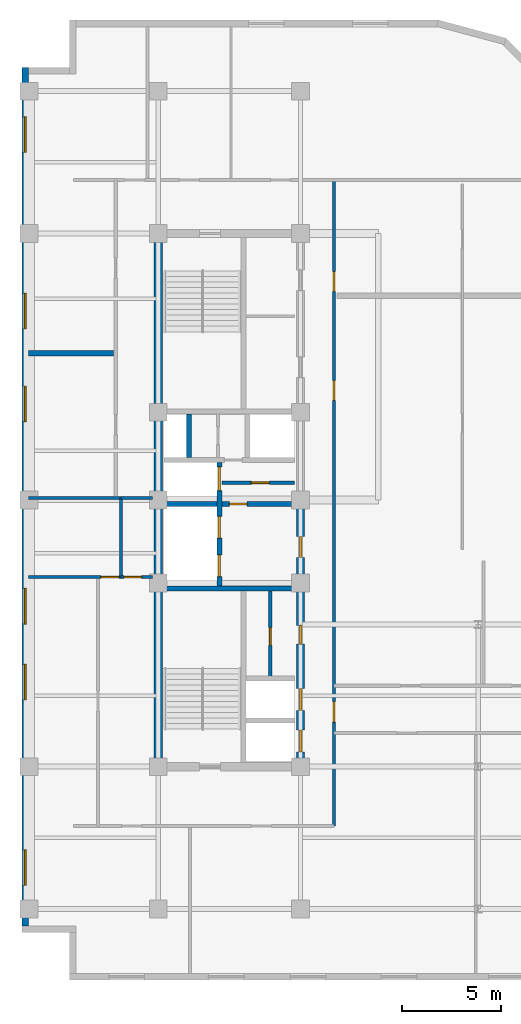
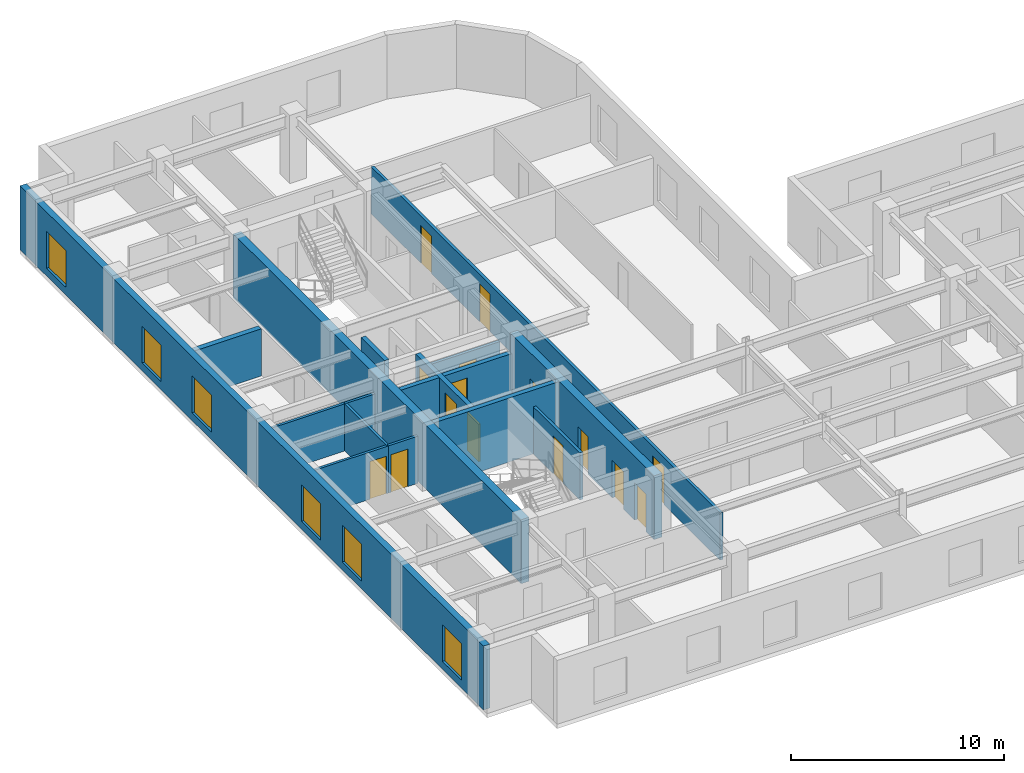
# One storey, part 4 of 11: 16 walls, 15 doors, 6 windows, 21 openings.
"""IFC4 building model written with IfcOpenShell, lengths in metres."""

from ifc_helpers import new_model, entity, si_unit, converted_unit, direction, frame, origin_with_axes, origin_2d_with_axis, place, context, subcontext, project, spatial, polyline, rectangle, outline, extrude, material, layer, layer_set, type_object, element, fill, save


model = new_model("IFC4")

# Units and contexts
model_context = context("Model", 3, precision=1e-05, world=origin_with_axes(), true_north=direction((0.0, 1.0)))
body_context = subcontext(model_context, "Body", "Model", "MODEL_VIEW")
ifc_project = project(units=[si_unit("LENGTHUNIT", "METRE"), si_unit("AREAUNIT", "SQUARE_METRE"), si_unit("VOLUMEUNIT", "CUBIC_METRE"), converted_unit("PLANEANGLEUNIT", "DEGREE", entity("IfcPlaneAngleMeasure", 0.017453292519943295), si_unit("PLANEANGLEUNIT", "RADIAN"), dimensions=[0, 0, 0, 0, 0, 0, 0]), si_unit("MASSUNIT", "GRAM", prefix="KILO"), si_unit("THERMODYNAMICTEMPERATUREUNIT", "KELVIN")], contexts=[model_context])

# Site, building, storey
site_placement = place(None, origin_with_axes())
site = spatial("IfcSite", under=ifc_project, at=site_placement, CompositionType="ELEMENT")
building_placement = place(site_placement, origin_with_axes())
building = spatial("IfcBuilding", under=site, at=building_placement, Name="Varnlund Millrace Tower", CompositionType="ELEMENT")
storey_placement = place(building_placement, frame((0.0, 0.0, 224.7), z_axis=(0.0, 0.0, 1.0), x_axis=(1.0, 0.0, 0.0)))
storey = spatial("IfcBuildingStorey", under=building, at=storey_placement, Name="L55", CompositionType="ELEMENT", Elevation=224.7)

# Wall
ifc_material_1 = material(Name="Concrete C60/75", Category="concrete")
ifc_layer_1 = layer(ifc_material_1, 0.42, Name="Concrete C60/75")
ifc_layer_set_1 = layer_set([ifc_layer_1], Name="Concrete C60/75")
wall_type_1 = type_object("IfcWallType", Name="Type-CoreWall-Shear-420-C60", PredefinedType="SHEAR", material=ifc_layer_set_1)
wall_1_placement = place(storey_placement, frame((11.4, 10.8, 0.0), z_axis=(0.0, 0.0, 1.0), x_axis=(0.0, 1.0, 0.0)))
element("IfcWall", 1, at=wall_1_placement, inside=storey, type_object=wall_type_1, Name="Type-CoreWall-Shear-420-C60", PredefinedType="SHEAR", context=body_context, shape_type="SweptSolid", body=[
    extrude(outline(polyline([(0.0, -0.21), (27.0, -0.21), (27.0, 0.21), (0.0, 0.21), (0.0, -0.21)])), origin_with_axes(), (0.0, 0.0, 1.0), 3.66),
])

# Wall, openings, doors
wall_2_placement = place(storey_placement, frame((18.6, 10.8, 0.0), z_axis=(0.0, 0.0, 1.0), x_axis=(0.0, 1.0, 0.0)))
wall_2 = element("IfcWall", 2, at=wall_2_placement, inside=storey, type_object=wall_type_1, Name="Type-CoreWall-Shear-420-C60", PredefinedType="SHEAR", context=body_context, shape_type="SweptSolid", body=[
    extrude(outline(polyline([(0.0, -0.21), (13.5, -0.21), (13.5, 0.21), (0.0, 0.21), (0.0, -0.21)])), origin_with_axes(), (0.0, 0.0, 1.0), 3.66),
])
opening_1_placement = place(wall_2_placement, frame((1.3, 0.0, 0.0), z_axis=(0.0, 0.0, 1.0), x_axis=(1.0, 0.0, 0.0)))
opening_1 = element("IfcOpeningElement", 3, at=opening_1_placement, cuts=wall_2, Name="Opening L55:LD-ELV-H1", PredefinedType="OPENING", context=body_context, shape_type="SweptSolid", body=[
    extrude(rectangle(XDim=1.1, YDim=0.44, at=origin_2d_with_axis()), origin_with_axes(), (0.0, 0.0, 1.0), 2.15),
])
opening_2_placement = place(wall_2_placement, frame((3.4, 0.0, 0.0), z_axis=(0.0, 0.0, 1.0), x_axis=(1.0, 0.0, 0.0)))
opening_2 = element("IfcOpeningElement", 4, at=opening_2_placement, cuts=wall_2, Name="Opening L55:LD-ELV-H2", PredefinedType="OPENING", context=body_context, shape_type="SweptSolid", body=[
    extrude(rectangle(XDim=1.1, YDim=0.44, at=origin_2d_with_axis()), origin_with_axes(), (0.0, 0.0, 1.0), 2.15),
])
opening_3_placement = place(wall_2_placement, frame((11.125, 0.0, 0.0), z_axis=(0.0, 0.0, 1.0), x_axis=(1.0, 0.0, 0.0)))
opening_3 = element("IfcOpeningElement", 5, at=opening_3_placement, cuts=wall_2, Name="Opening L55:DR-FFLOB-A", PredefinedType="OPENING", context=body_context, shape_type="SweptSolid", body=[
    extrude(rectangle(XDim=1.05, YDim=0.44, at=origin_2d_with_axis()), origin_with_axes(), (0.0, 0.0, 1.0), 2.15),
])
opening_4_placement = place(wall_2_placement, frame((6.675, 0.0, 0.0), z_axis=(0.0, 0.0, 1.0), x_axis=(1.0, 0.0, 0.0)))
opening_4 = element("IfcOpeningElement", 6, at=opening_4_placement, cuts=wall_2, Name="Opening L55:DR-RECL-S1B2", PredefinedType="OPENING", context=body_context, shape_type="SweptSolid", body=[
    extrude(rectangle(XDim=0.95, YDim=0.44, at=origin_2d_with_axis()), origin_with_axes(), (0.0, 0.0, 1.0), 2.15),
])
ifc_material_2 = material(Name="Smoke-barrier hollow steel fire door", Category="steel")
door_type_1 = type_object("IfcDoorType", Name="Type-FireDoor-Lobby-1050X2150", OperationType="NOTDEFINED", PredefinedType="DOOR", material=ifc_material_2)
door_1_placement = place(wall_2_placement, frame((11.125, 0.0, 0.0), z_axis=(0.0, 0.0, 1.0), x_axis=(1.0, 0.0, 0.0)))
door_1 = element("IfcDoor", 7, at=door_1_placement, inside=storey, type_object=door_type_1, Name="Type-FireDoor-Lobby-1050X2150", OperationType="SINGLE_SWING_LEFT", OverallHeight=2.15, OverallWidth=1.05, PredefinedType="DOOR", context=body_context, shape_type="SweptSolid", body=[
    extrude(rectangle(XDim=1.05, YDim=0.09, at=origin_2d_with_axis()), origin_with_axes(), (0.0, 0.0, 1.0), 2.15),
])
fill(opening_3, door_1)
ifc_material_3 = material(Name="Fire-rated hollow steel core service door", Category="steel")
door_type_2 = type_object("IfcDoorType", Name="Type-FireDoor-Service-950X2150", OperationType="NOTDEFINED", PredefinedType="DOOR", material=ifc_material_3)
door_2_placement = place(wall_2_placement, frame((6.675, 0.0, 0.0), z_axis=(0.0, 0.0, 1.0), x_axis=(1.0, 0.0, 0.0)))
door_2 = element("IfcDoor", 8, at=door_2_placement, inside=storey, type_object=door_type_2, Name="Type-FireDoor-Service-950X2150", OperationType="SINGLE_SWING_RIGHT", OverallHeight=2.15, OverallWidth=0.95, PredefinedType="DOOR", context=body_context, shape_type="SweptSolid", body=[
    extrude(rectangle(XDim=0.95, YDim=0.09, at=origin_2d_with_axis()), origin_with_axes(), (0.0, 0.0, 1.0), 2.15),
])
fill(opening_4, door_2)
ifc_material_4 = material(Name="Stainless and architectural bronze sliding landing door")
door_type_3 = type_object("IfcDoorType", Name="Type-LiftLandingDoor-1100X2150", OperationType="NOTDEFINED", PredefinedType="DOOR", material=ifc_material_4)
door_3_placement = place(wall_2_placement, frame((1.3, 0.0, 0.0), z_axis=(0.0, 0.0, 1.0), x_axis=(1.0, 0.0, 0.0)))
door_3 = element("IfcDoor", 9, at=door_3_placement, inside=storey, type_object=door_type_3, Name="Type-LiftLandingDoor-1100X2150", OperationType="SLIDING_TO_LEFT", OverallHeight=2.15, OverallWidth=1.1, PredefinedType="DOOR", context=body_context, shape_type="SweptSolid", body=[
    extrude(rectangle(XDim=1.1, YDim=0.09, at=origin_2d_with_axis()), origin_with_axes(), (0.0, 0.0, 1.0), 2.15),
])
fill(opening_1, door_3)
door_4_placement = place(wall_2_placement, frame((3.4, 0.0, 0.0), z_axis=(0.0, 0.0, 1.0), x_axis=(1.0, 0.0, 0.0)))
door_4 = element("IfcDoor", 10, at=door_4_placement, inside=storey, type_object=door_type_3, Name="Type-LiftLandingDoor-1100X2150", OperationType="SLIDING_TO_RIGHT", OverallHeight=2.15, OverallWidth=1.1, PredefinedType="DOOR", context=body_context, shape_type="SweptSolid", body=[
    extrude(rectangle(XDim=1.1, YDim=0.09, at=origin_2d_with_axis()), origin_with_axes(), (0.0, 0.0, 1.0), 2.15),
])
fill(opening_2, door_4)

# Wall, openings, windows
ifc_material_5 = material(Name="Precast concrete C50/60", Category="concrete")
ifc_layer_2 = layer(ifc_material_5, 0.34, Name="Precast concrete C50/60")
ifc_layer_set_2 = layer_set([ifc_layer_2], Name="Precast concrete C50/60")
wall_type_2 = type_object("IfcWallType", Name="Type-ExtWall-Precast-Upper-340", PredefinedType="SOLIDWALL", material=ifc_layer_set_2)
wall_3_placement = place(storey_placement, frame((4.67, 2.74, 0.0), z_axis=(0.0, 0.0, 1.0), x_axis=(0.0, 1.0, 0.0)))
wall_3 = element("IfcWall", 11, at=wall_3_placement, inside=storey, type_object=wall_type_2, Name="Type-ExtWall-Precast-Upper-340", PredefinedType="SOLIDWALL", context=body_context, shape_type="SweptSolid", body=[
    extrude(outline(polyline([(0.0, -0.17), (43.46, -0.17), (43.46, 0.17), (0.0, 0.17), (0.0, -0.17)])), origin_with_axes(), (0.0, 0.0, 1.0), 3.66),
])
opening_5_placement = place(wall_3_placement, frame((2.948, 0.0, 0.45), z_axis=(0.0, 0.0, 1.0), x_axis=(1.0, 0.0, 0.0)))
opening_5 = element("IfcOpeningElement", 12, at=opening_5_placement, cuts=wall_3, Name="Opening L55:WN-16", PredefinedType="OPENING", context=body_context, shape_type="SweptSolid", body=[
    extrude(rectangle(XDim=1.8, YDim=0.36, at=origin_2d_with_axis()), origin_with_axes(), (0.0, 0.0, 1.0), 2.1),
])
opening_6_placement = place(wall_3_placement, frame((12.339, 0.0, 0.45), z_axis=(0.0, 0.0, 1.0), x_axis=(1.0, 0.0, 0.0)))
opening_6 = element("IfcOpeningElement", 13, at=opening_6_placement, cuts=wall_3, Name="Opening L55:WN-17", PredefinedType="OPENING", context=body_context, shape_type="SweptSolid", body=[
    extrude(rectangle(XDim=1.8, YDim=0.36, at=origin_2d_with_axis()), origin_with_axes(), (0.0, 0.0, 1.0), 2.1),
])
opening_7_placement = place(wall_3_placement, frame((16.184, 0.0, 0.45), z_axis=(0.0, 0.0, 1.0), x_axis=(1.0, 0.0, 0.0)))
opening_7 = element("IfcOpeningElement", 14, at=opening_7_placement, cuts=wall_3, Name="Opening L55:WN-18", PredefinedType="OPENING", context=body_context, shape_type="SweptSolid", body=[
    extrude(rectangle(XDim=1.8, YDim=0.36, at=origin_2d_with_axis()), origin_with_axes(), (0.0, 0.0, 1.0), 2.1),
])
opening_8_placement = place(wall_3_placement, frame((26.426, 0.0, 0.45), z_axis=(0.0, 0.0, 1.0), x_axis=(1.0, 0.0, 0.0)))
opening_8 = element("IfcOpeningElement", 15, at=opening_8_placement, cuts=wall_3, Name="Opening L55:WN-19", PredefinedType="OPENING", context=body_context, shape_type="SweptSolid", body=[
    extrude(rectangle(XDim=1.8, YDim=0.36, at=origin_2d_with_axis()), origin_with_axes(), (0.0, 0.0, 1.0), 2.1),
])
opening_9_placement = place(wall_3_placement, frame((31.121, 0.0, 0.45), z_axis=(0.0, 0.0, 1.0), x_axis=(1.0, 0.0, 0.0)))
opening_9 = element("IfcOpeningElement", 16, at=opening_9_placement, cuts=wall_3, Name="Opening L55:WN-20", PredefinedType="OPENING", context=body_context, shape_type="SweptSolid", body=[
    extrude(rectangle(XDim=1.8, YDim=0.36, at=origin_2d_with_axis()), origin_with_axes(), (0.0, 0.0, 1.0), 2.1),
])
opening_10_placement = place(wall_3_placement, frame((40.062, 0.0, 0.45), z_axis=(0.0, 0.0, 1.0), x_axis=(1.0, 0.0, 0.0)))
opening_10 = element("IfcOpeningElement", 17, at=opening_10_placement, cuts=wall_3, Name="Opening L55:WN-21", PredefinedType="OPENING", context=body_context, shape_type="SweptSolid", body=[
    extrude(rectangle(XDim=1.8, YDim=0.36, at=origin_2d_with_axis()), origin_with_axes(), (0.0, 0.0, 1.0), 2.1),
])
ifc_material_6 = material(Name="Argon low-e triple glazing in thermally broken bronze frame", Category="glass")
window_type = type_object("IfcWindowType", Name="Type-Window-Punched-1800X2100", PartitioningType="SINGLE_PANEL", PredefinedType="WINDOW", material=ifc_material_6)
window_1_placement = place(wall_3_placement, frame((2.948, 0.0, 0.45), z_axis=(0.0, 0.0, 1.0), x_axis=(1.0, 0.0, 0.0)))
window_1 = element("IfcWindow", 18, at=window_1_placement, inside=storey, type_object=window_type, Name="Type-Window-Punched-1800X2100", OverallHeight=2.1, OverallWidth=1.8, PredefinedType="WINDOW", context=body_context, shape_type="SweptSolid", body=[
    extrude(rectangle(XDim=1.8, YDim=0.09, at=origin_2d_with_axis()), origin_with_axes(), (0.0, 0.0, 1.0), 2.1),
])
fill(opening_5, window_1)
window_2_placement = place(wall_3_placement, frame((12.339, 0.0, 0.45), z_axis=(0.0, 0.0, 1.0), x_axis=(1.0, 0.0, 0.0)))
window_2 = element("IfcWindow", 19, at=window_2_placement, inside=storey, type_object=window_type, Name="Type-Window-Punched-1800X2100", OverallHeight=2.1, OverallWidth=1.8, PredefinedType="WINDOW", context=body_context, shape_type="SweptSolid", body=[
    extrude(rectangle(XDim=1.8, YDim=0.09, at=origin_2d_with_axis()), origin_with_axes(), (0.0, 0.0, 1.0), 2.1),
])
fill(opening_6, window_2)
window_3_placement = place(wall_3_placement, frame((16.184, 0.0, 0.45), z_axis=(0.0, 0.0, 1.0), x_axis=(1.0, 0.0, 0.0)))
window_3 = element("IfcWindow", 20, at=window_3_placement, inside=storey, type_object=window_type, Name="Type-Window-Punched-1800X2100", OverallHeight=2.1, OverallWidth=1.8, PredefinedType="WINDOW", context=body_context, shape_type="SweptSolid", body=[
    extrude(rectangle(XDim=1.8, YDim=0.09, at=origin_2d_with_axis()), origin_with_axes(), (0.0, 0.0, 1.0), 2.1),
])
fill(opening_7, window_3)
window_4_placement = place(wall_3_placement, frame((26.426, 0.0, 0.45), z_axis=(0.0, 0.0, 1.0), x_axis=(1.0, 0.0, 0.0)))
window_4 = element("IfcWindow", 21, at=window_4_placement, inside=storey, type_object=window_type, Name="Type-Window-Punched-1800X2100", OverallHeight=2.1, OverallWidth=1.8, PredefinedType="WINDOW", context=body_context, shape_type="SweptSolid", body=[
    extrude(rectangle(XDim=1.8, YDim=0.09, at=origin_2d_with_axis()), origin_with_axes(), (0.0, 0.0, 1.0), 2.1),
])
fill(opening_8, window_4)
window_5_placement = place(wall_3_placement, frame((31.121, 0.0, 0.45), z_axis=(0.0, 0.0, 1.0), x_axis=(1.0, 0.0, 0.0)))
window_5 = element("IfcWindow", 22, at=window_5_placement, inside=storey, type_object=window_type, Name="Type-Window-Punched-1800X2100", OverallHeight=2.1, OverallWidth=1.8, PredefinedType="WINDOW", context=body_context, shape_type="SweptSolid", body=[
    extrude(rectangle(XDim=1.8, YDim=0.09, at=origin_2d_with_axis()), origin_with_axes(), (0.0, 0.0, 1.0), 2.1),
])
fill(opening_9, window_5)
window_6_placement = place(wall_3_placement, frame((40.062, 0.0, 0.45), z_axis=(0.0, 0.0, 1.0), x_axis=(1.0, 0.0, 0.0)))
window_6 = element("IfcWindow", 23, at=window_6_placement, inside=storey, type_object=window_type, Name="Type-Window-Punched-1800X2100", OverallHeight=2.1, OverallWidth=1.8, PredefinedType="WINDOW", context=body_context, shape_type="SweptSolid", body=[
    extrude(rectangle(XDim=1.8, YDim=0.09, at=origin_2d_with_axis()), origin_with_axes(), (0.0, 0.0, 1.0), 2.1),
])
fill(opening_10, window_6)

# Wall
ifc_material_7 = material(Name="Double-stud STC-60 conference acoustic partition", Category="gypsum")
ifc_layer_3 = layer(ifc_material_7, 0.28, Name="Double-stud STC-60 conference acoustic partition")
ifc_layer_set_3 = layer_set([ifc_layer_3], Name="Double-stud STC-60 conference acoustic partition")
wall_type_3 = type_object("IfcWallType", Name="Type-Partition-Acoustic-280", PredefinedType="PARTITIONING", material=ifc_layer_set_3)
wall_4_placement = place(storey_placement, frame((4.835, 31.737, 0.0), z_axis=(0.0, 0.0, 1.0), x_axis=(1.0, 0.0, 0.0)))
element("IfcWall", 24, at=wall_4_placement, inside=storey, type_object=wall_type_3, Name="Type-Partition-Acoustic-280", PredefinedType="PARTITIONING", context=body_context, shape_type="SweptSolid", body=[
    extrude(outline(polyline([(0.0, -0.14), (4.295, -0.14), (4.295, 0.14), (0.0, 0.14), (0.0, -0.14)])), origin_with_axes(), (0.0, 0.0, 1.0), 2.7),
])

# Wall, opening, door
ifc_material_8 = material(Name="Fire-rated gypsum board on cold-formed steel framing", Category="steel")
ifc_layer_4 = layer(ifc_material_8, 0.16, Name="Fire-rated gypsum board on cold-formed steel framing")
ifc_layer_set_4 = layer_set([ifc_layer_4], Name="Fire-rated gypsum board on cold-formed steel framing")
wall_type_4 = type_object("IfcWallType", Name="Type-Partition-Corridor-160", PredefinedType="PARTITIONING", material=ifc_layer_set_4)
wall_5_placement = place(storey_placement, frame((14.62, 25.18, 0.0), z_axis=(0.0, 0.0, 1.0), x_axis=(1.0, 0.0, 0.0)))
wall_5 = element("IfcWall", 25, at=wall_5_placement, inside=storey, type_object=wall_type_4, Name="Type-Partition-Corridor-160", PredefinedType="PARTITIONING", context=body_context, shape_type="SweptSolid", body=[
    extrude(outline(polyline([(0.0, -0.08), (3.68, -0.08), (3.68, 0.08), (0.0, 0.08), (0.0, -0.08)])), origin_with_axes(), (0.0, 0.0, 1.0), 2.7),
])
opening_11_placement = place(wall_5_placement, frame((1.95, 0.0, 0.0), z_axis=(0.0, 0.0, 1.0), x_axis=(1.0, 0.0, 0.0)))
opening_11 = element("IfcOpeningElement", 26, at=opening_11_placement, cuts=wall_5, Name="Opening L55:DR-CA-SUB2", PredefinedType="OPENING", context=body_context, shape_type="SweptSolid", body=[
    extrude(rectangle(XDim=0.9, YDim=0.18, at=origin_2d_with_axis()), origin_with_axes(), (0.0, 0.0, 1.0), 2.15),
])
ifc_material_9 = material(Name="Painted steel riser and closet door", Category="steel")
door_type_4 = type_object("IfcDoorType", Name="Type-IntDoor-Closet-900X2150", OperationType="NOTDEFINED", PredefinedType="DOOR", material=ifc_material_9)
door_5_placement = place(wall_5_placement, frame((1.95, 0.0, 0.0), z_axis=(0.0, 0.0, 1.0), x_axis=(1.0, 0.0, 0.0)))
door_5 = element("IfcDoor", 27, at=door_5_placement, inside=storey, type_object=door_type_4, Name="Type-IntDoor-Closet-900X2150", OperationType="SINGLE_SWING_LEFT", OverallHeight=2.15, OverallWidth=0.9, PredefinedType="DOOR", context=body_context, shape_type="SweptSolid", body=[
    extrude(rectangle(XDim=0.9, YDim=0.09, at=origin_2d_with_axis()), origin_with_axes(), (0.0, 0.0, 1.0), 2.15),
])
fill(opening_11, door_5)

wall_6_placement = place(storey_placement, frame((17.07, 15.34, 0.0), z_axis=(0.0, 0.0, 1.0), x_axis=(0.0, 1.0, 0.0)))
wall_6 = element("IfcWall", 28, at=wall_6_placement, inside=storey, type_object=wall_type_4, Name="Type-Partition-Corridor-160", PredefinedType="PARTITIONING", context=body_context, shape_type="SweptSolid", body=[
    extrude(outline(polyline([(0.0, -0.08), (4.36, -0.08), (4.36, 0.08), (0.0, 0.08), (0.0, -0.08)])), origin_with_axes(), (0.0, 0.0, 1.0), 2.7),
])
opening_12_placement = place(wall_6_placement, frame((2.05, 0.0, 0.0), z_axis=(0.0, 0.0, 1.0), x_axis=(1.0, 0.0, 0.0)))
opening_12 = element("IfcOpeningElement", 29, at=opening_12_placement, cuts=wall_6, Name="Opening L55:DR-RECL-S1B1", PredefinedType="OPENING", context=body_context, shape_type="SweptSolid", body=[
    extrude(rectangle(XDim=0.9, YDim=0.18, at=origin_2d_with_axis()), origin_with_axes(), (0.0, 0.0, 1.0), 2.15),
])
door_6_placement = place(wall_6_placement, frame((2.05, 0.0, 0.0), z_axis=(0.0, 0.0, 1.0), x_axis=(1.0, 0.0, 0.0)))
door_6 = element("IfcDoor", 30, at=door_6_placement, inside=storey, type_object=door_type_4, Name="Type-IntDoor-Closet-900X2150", OperationType="SINGLE_SWING_LEFT", OverallHeight=2.15, OverallWidth=0.9, PredefinedType="DOOR", context=body_context, shape_type="SweptSolid", body=[
    extrude(rectangle(XDim=0.9, YDim=0.09, at=origin_2d_with_axis()), origin_with_axes(), (0.0, 0.0, 1.0), 2.15),
])
fill(opening_12, door_6)

# Wall, openings, doors
wall_7_placement = place(storey_placement, frame((20.3, 7.8, 0.0), z_axis=(0.0, 0.0, 1.0), x_axis=(0.0, 1.0, 0.0)))
wall_7 = element("IfcWall", 31, at=wall_7_placement, inside=storey, type_object=wall_type_4, Name="Type-Partition-Corridor-160", PredefinedType="PARTITIONING", context=body_context, shape_type="SweptSolid", body=[
    extrude(outline(polyline([(0.0, -0.08), (32.7, -0.08), (32.7, 0.08), (0.0, 0.08), (0.0, -0.08)])), origin_with_axes(), (0.0, 0.0, 1.0), 2.7),
])
opening_13_placement = place(wall_7_placement, frame((22.042, 0.0, 0.0), z_axis=(0.0, 0.0, 1.0), x_axis=(1.0, 0.0, 0.0)))
opening_13 = element("IfcOpeningElement", 32, at=opening_13_placement, cuts=wall_7, Name="Opening L55:DR-FLR-01", PredefinedType="OPENING", context=body_context, shape_type="SweptSolid", body=[
    extrude(rectangle(XDim=1.0, YDim=0.18, at=origin_2d_with_axis()), origin_with_axes(), (0.0, 0.0, 1.0), 2.15),
])
opening_14_placement = place(wall_7_placement, frame((27.562, 0.0, 0.0), z_axis=(0.0, 0.0, 1.0), x_axis=(1.0, 0.0, 0.0)))
opening_14 = element("IfcOpeningElement", 33, at=opening_14_placement, cuts=wall_7, Name="Opening L55:DR-FLR-02", PredefinedType="OPENING", context=body_context, shape_type="SweptSolid", body=[
    extrude(rectangle(XDim=1.0, YDim=0.18, at=origin_2d_with_axis()), origin_with_axes(), (0.0, 0.0, 1.0), 2.15),
])
opening_15_placement = place(wall_7_placement, frame((5.775, 0.0, 0.0), z_axis=(0.0, 0.0, 1.0), x_axis=(1.0, 0.0, 0.0)))
opening_15 = element("IfcOpeningElement", 34, at=opening_15_placement, cuts=wall_7, Name="Opening L55:DR-KN-W", PredefinedType="OPENING", context=body_context, shape_type="SweptSolid", body=[
    extrude(rectangle(XDim=1.05, YDim=0.18, at=origin_2d_with_axis()), origin_with_axes(), (0.0, 0.0, 1.0), 2.15),
])
door_7_placement = place(wall_7_placement, frame((5.775, 0.0, 0.0), z_axis=(0.0, 0.0, 1.0), x_axis=(1.0, 0.0, 0.0)))
door_7 = element("IfcDoor", 35, at=door_7_placement, inside=storey, type_object=door_type_1, Name="Type-FireDoor-Lobby-1050X2150", OperationType="SINGLE_SWING_LEFT", OverallHeight=2.15, OverallWidth=1.05, PredefinedType="DOOR", context=body_context, shape_type="SweptSolid", body=[
    extrude(rectangle(XDim=1.05, YDim=0.09, at=origin_2d_with_axis()), origin_with_axes(), (0.0, 0.0, 1.0), 2.15),
])
fill(opening_15, door_7)
ifc_material_10 = material(Name="Solid-core white oak and bronze frame door")
door_type_5 = type_object("IfcDoorType", Name="Type-IntDoor-Office-1000X2150", OperationType="NOTDEFINED", PredefinedType="DOOR", material=ifc_material_10)
door_8_placement = place(wall_7_placement, frame((22.042, 0.0, 0.0), z_axis=(0.0, 0.0, 1.0), x_axis=(1.0, 0.0, 0.0)))
door_8 = element("IfcDoor", 36, at=door_8_placement, inside=storey, type_object=door_type_5, Name="Type-IntDoor-Office-1000X2150", OperationType="SINGLE_SWING_LEFT", OverallHeight=2.15, OverallWidth=1.0, PredefinedType="DOOR", context=body_context, shape_type="SweptSolid", body=[
    extrude(rectangle(XDim=1.0, YDim=0.09, at=origin_2d_with_axis()), origin_with_axes(), (0.0, 0.0, 1.0), 2.15),
])
fill(opening_13, door_8)
door_9_placement = place(wall_7_placement, frame((27.562, 0.0, 0.0), z_axis=(0.0, 0.0, 1.0), x_axis=(1.0, 0.0, 0.0)))
door_9 = element("IfcDoor", 37, at=door_9_placement, inside=storey, type_object=door_type_5, Name="Type-IntDoor-Office-1000X2150", OperationType="SINGLE_SWING_RIGHT", OverallHeight=2.15, OverallWidth=1.0, PredefinedType="DOOR", context=body_context, shape_type="SweptSolid", body=[
    extrude(rectangle(XDim=1.0, YDim=0.09, at=origin_2d_with_axis()), origin_with_axes(), (0.0, 0.0, 1.0), 2.15),
])
fill(opening_14, door_9)

# Wall
ifc_material_11 = material(Name="Moisture-resistant gypsum restroom partition", Category="gypsum")
ifc_layer_5 = layer(ifc_material_11, 0.14, Name="Moisture-resistant gypsum restroom partition")
ifc_layer_set_5 = layer_set([ifc_layer_5], Name="Moisture-resistant gypsum restroom partition")
wall_type_5 = type_object("IfcWallType", Name="Type-Partition-Wet-140", PredefinedType="PARTITIONING", material=ifc_layer_set_5)
wall_8_placement = place(storey_placement, frame((9.52, 20.4, 0.0), z_axis=(0.0, 0.0, 1.0), x_axis=(0.0, 1.0, 0.0)))
element("IfcWall", 38, at=wall_8_placement, inside=storey, type_object=wall_type_5, Name="Type-Partition-Wet-140", PredefinedType="PARTITIONING", context=body_context, shape_type="SweptSolid", body=[
    extrude(outline(polyline([(0.0, -0.07), (4.0, -0.07), (4.0, 0.07), (0.0, 0.07), (0.0, -0.07)])), origin_with_axes(), (0.0, 0.0, 1.0), 2.7),
])

# Wall, opening, door
wall_9_placement = place(storey_placement, frame((9.52, 20.4, 0.0), z_axis=(0.0, 0.0, 1.0), x_axis=(1.0, 0.0, 0.0)))
wall_9 = element("IfcWall", 39, at=wall_9_placement, inside=storey, type_object=wall_type_5, Name="Type-Partition-Wet-140", PredefinedType="PARTITIONING", context=body_context, shape_type="SweptSolid", body=[
    extrude(outline(polyline([(0.0, -0.07), (1.58, -0.07), (1.58, 0.07), (0.0, 0.07), (0.0, -0.07)])), origin_with_axes(), (0.0, 0.0, 1.0), 2.7),
])
opening_16_placement = place(wall_9_placement, frame((0.59, 0.0, 0.0), z_axis=(0.0, 0.0, 1.0), x_axis=(1.0, 0.0, 0.0)))
opening_16 = element("IfcOpeningElement", 40, at=opening_16_placement, cuts=wall_9, Name="Opening L55:DR-CA-WCW", PredefinedType="OPENING", context=body_context, shape_type="SweptSolid", body=[
    extrude(rectangle(XDim=0.9, YDim=0.16, at=origin_2d_with_axis()), origin_with_axes(), (0.0, 0.0, 1.0), 2.15),
])
door_10_placement = place(wall_9_placement, frame((0.59, 0.0, 0.0), z_axis=(0.0, 0.0, 1.0), x_axis=(1.0, 0.0, 0.0)))
door_10 = element("IfcDoor", 41, at=door_10_placement, inside=storey, type_object=door_type_4, Name="Type-IntDoor-Closet-900X2150", OperationType="SINGLE_SWING_LEFT", OverallHeight=2.15, OverallWidth=0.9, PredefinedType="DOOR", context=body_context, shape_type="SweptSolid", body=[
    extrude(rectangle(XDim=0.9, YDim=0.084, at=origin_2d_with_axis()), origin_with_axes(), (0.0, 0.0, 1.0), 2.15),
])
fill(opening_16, door_10)

# Wall
wall_10_placement = place(storey_placement, frame((9.52, 24.4, 0.0), z_axis=(0.0, 0.0, 1.0), x_axis=(1.0, 0.0, 0.0)))
element("IfcWall", 42, at=wall_10_placement, inside=storey, type_object=wall_type_5, Name="Type-Partition-Wet-140", PredefinedType="PARTITIONING", context=body_context, shape_type="SweptSolid", body=[
    extrude(outline(polyline([(0.0, -0.07), (1.58, -0.07), (1.58, 0.07), (0.0, 0.07), (0.0, -0.07)])), origin_with_axes(), (0.0, 0.0, 1.0), 2.7),
])

# Wall, opening, door
wall_11_placement = place(storey_placement, frame((4.835, 20.4, 0.0), z_axis=(0.0, 0.0, 1.0), x_axis=(1.0, 0.0, 0.0)))
wall_11 = element("IfcWall", 43, at=wall_11_placement, inside=storey, type_object=wall_type_5, Name="Type-Partition-Wet-140", PredefinedType="PARTITIONING", context=body_context, shape_type="SweptSolid", body=[
    extrude(outline(polyline([(0.0, -0.07), (4.685, -0.07), (4.685, 0.07), (0.0, 0.07), (0.0, -0.07)])), origin_with_axes(), (0.0, 0.0, 1.0), 2.7),
])
opening_17_placement = place(wall_11_placement, frame((4.115, 0.0, 0.0), z_axis=(0.0, 0.0, 1.0), x_axis=(1.0, 0.0, 0.0)))
opening_17 = element("IfcOpeningElement", 44, at=opening_17_placement, cuts=wall_11, Name="Opening L55:DR-W-MIDR", PredefinedType="OPENING", context=body_context, shape_type="SweptSolid", body=[
    extrude(rectangle(XDim=0.9, YDim=0.16, at=origin_2d_with_axis()), origin_with_axes(), (0.0, 0.0, 1.0), 2.15),
])
door_11_placement = place(wall_11_placement, frame((4.115, 0.0, 0.0), z_axis=(0.0, 0.0, 1.0), x_axis=(1.0, 0.0, 0.0)))
door_11 = element("IfcDoor", 45, at=door_11_placement, inside=storey, type_object=door_type_4, Name="Type-IntDoor-Closet-900X2150", OperationType="SINGLE_SWING_LEFT", OverallHeight=2.15, OverallWidth=0.9, PredefinedType="DOOR", context=body_context, shape_type="SweptSolid", body=[
    extrude(rectangle(XDim=0.9, YDim=0.084, at=origin_2d_with_axis()), origin_with_axes(), (0.0, 0.0, 1.0), 2.15),
])
fill(opening_17, door_11)

# Wall
wall_12_placement = place(storey_placement, frame((4.835, 24.4, 0.0), z_axis=(0.0, 0.0, 1.0), x_axis=(1.0, 0.0, 0.0)))
element("IfcWall", 46, at=wall_12_placement, inside=storey, type_object=wall_type_5, Name="Type-Partition-Wet-140", PredefinedType="PARTITIONING", context=body_context, shape_type="SweptSolid", body=[
    extrude(outline(polyline([(0.0, -0.07), (4.685, -0.07), (4.685, 0.07), (0.0, 0.07), (0.0, -0.07)])), origin_with_axes(), (0.0, 0.0, 1.0), 2.7),
])

# Wall, openings, doors
ifc_layer_6 = layer(ifc_material_1, 0.25, Name="Concrete C60/75")
ifc_layer_set_6 = layer_set([ifc_layer_6], Name="Concrete C60/75")
wall_type_6 = type_object("IfcWallType", Name="Type-ShaftWall-Fire-250", PredefinedType="SOLIDWALL", material=ifc_layer_set_6)
wall_13_placement = place(storey_placement, frame((14.5, 19.95, 0.0), z_axis=(0.0, 0.0, 1.0), x_axis=(0.0, 1.0, 0.0)))
wall_13 = element("IfcWall", 47, at=wall_13_placement, inside=storey, type_object=wall_type_6, Name="Type-ShaftWall-Fire-250", PredefinedType="SOLIDWALL", context=body_context, shape_type="SweptSolid", body=[
    extrude(outline(polyline([(0.0, -0.125), (6.25, -0.125), (6.25, 0.125), (0.0, 0.125), (0.0, -0.125)])), origin_with_axes(), (0.0, 0.0, 1.0), 2.7),
])
opening_18_placement = place(wall_13_placement, frame((1.025, 0.0, 0.0), z_axis=(0.0, 0.0, 1.0), x_axis=(1.0, 0.0, 0.0)))
opening_18 = element("IfcOpeningElement", 48, at=opening_18_placement, cuts=wall_13, Name="Opening L55:LD-FSAE1", PredefinedType="OPENING", context=body_context, shape_type="SweptSolid", body=[
    extrude(rectangle(XDim=1.1, YDim=0.27, at=origin_2d_with_axis()), origin_with_axes(), (0.0, 0.0, 1.0), 2.15),
])
opening_19_placement = place(wall_13_placement, frame((2.975, 0.0, 0.0), z_axis=(0.0, 0.0, 1.0), x_axis=(1.0, 0.0, 0.0)))
opening_19 = element("IfcOpeningElement", 49, at=opening_19_placement, cuts=wall_13, Name="Opening L55:LD-FSAE2", PredefinedType="OPENING", context=body_context, shape_type="SweptSolid", body=[
    extrude(rectangle(XDim=1.1, YDim=0.27, at=origin_2d_with_axis()), origin_with_axes(), (0.0, 0.0, 1.0), 2.15),
])
opening_20_placement = place(wall_13_placement, frame((5.425, 0.0, 0.0), z_axis=(0.0, 0.0, 1.0), x_axis=(1.0, 0.0, 0.0)))
opening_20 = element("IfcOpeningElement", 50, at=opening_20_placement, cuts=wall_13, Name="Opening L55:LD-SRV1", PredefinedType="OPENING", context=body_context, shape_type="SweptSolid", body=[
    extrude(rectangle(XDim=1.2, YDim=0.27, at=origin_2d_with_axis()), origin_with_axes(), (0.0, 0.0, 1.0), 2.15),
])
door_12_placement = place(wall_13_placement, frame((1.025, 0.0, 0.0), z_axis=(0.0, 0.0, 1.0), x_axis=(1.0, 0.0, 0.0)))
door_12 = element("IfcDoor", 51, at=door_12_placement, inside=storey, type_object=door_type_3, Name="Type-LiftLandingDoor-1100X2150", OperationType="SLIDING_TO_LEFT", OverallHeight=2.15, OverallWidth=1.1, PredefinedType="DOOR", context=body_context, shape_type="SweptSolid", body=[
    extrude(rectangle(XDim=1.1, YDim=0.09, at=origin_2d_with_axis()), origin_with_axes(), (0.0, 0.0, 1.0), 2.15),
])
fill(opening_18, door_12)
door_13_placement = place(wall_13_placement, frame((2.975, 0.0, 0.0), z_axis=(0.0, 0.0, 1.0), x_axis=(1.0, 0.0, 0.0)))
door_13 = element("IfcDoor", 52, at=door_13_placement, inside=storey, type_object=door_type_3, Name="Type-LiftLandingDoor-1100X2150", OperationType="SLIDING_TO_RIGHT", OverallHeight=2.15, OverallWidth=1.1, PredefinedType="DOOR", context=body_context, shape_type="SweptSolid", body=[
    extrude(rectangle(XDim=1.1, YDim=0.09, at=origin_2d_with_axis()), origin_with_axes(), (0.0, 0.0, 1.0), 2.15),
])
fill(opening_19, door_13)
ifc_material_12 = material(Name="Heavy-duty freight sliding landing door")
door_type_6 = type_object("IfcDoorType", Name="Type-LiftLandingDoor-Service-1200X2150", OperationType="NOTDEFINED", PredefinedType="DOOR", material=ifc_material_12)
door_14_placement = place(wall_13_placement, frame((5.425, 0.0, 0.0), z_axis=(0.0, 0.0, 1.0), x_axis=(1.0, 0.0, 0.0)))
door_14 = element("IfcDoor", 53, at=door_14_placement, inside=storey, type_object=door_type_6, Name="Type-LiftLandingDoor-Service-1200X2150", OperationType="DOUBLE_DOOR_SLIDING", OverallHeight=2.15, OverallWidth=1.2, PredefinedType="DOOR", context=body_context, shape_type="SweptSolid", body=[
    extrude(rectangle(XDim=1.2, YDim=0.09, at=origin_2d_with_axis()), origin_with_axes(), (0.0, 0.0, 1.0), 2.15),
])
fill(opening_20, door_14)

# Wall, opening, door
wall_14_placement = place(storey_placement, frame((11.7, 24.1, 0.0), z_axis=(0.0, 0.0, 1.0), x_axis=(1.0, 0.0, 0.0)))
wall_14 = element("IfcWall", 54, at=wall_14_placement, inside=storey, type_object=wall_type_6, Name="Type-ShaftWall-Fire-250", PredefinedType="SOLIDWALL", context=body_context, shape_type="SweptSolid", body=[
    extrude(outline(polyline([(0.0, -0.125), (6.6, -0.125), (6.6, 0.125), (0.0, 0.125), (0.0, -0.125)])), origin_with_axes(), (0.0, 0.0, 1.0), 2.7),
])
opening_21_placement = place(wall_14_placement, frame((3.75, 0.0, 0.0), z_axis=(0.0, 0.0, 1.0), x_axis=(1.0, 0.0, 0.0)))
opening_21 = element("IfcOpeningElement", 55, at=opening_21_placement, cuts=wall_14, Name="Opening L55:DR-CA-SUB1", PredefinedType="OPENING", context=body_context, shape_type="SweptSolid", body=[
    extrude(rectangle(XDim=0.9, YDim=0.27, at=origin_2d_with_axis()), origin_with_axes(), (0.0, 0.0, 1.0), 2.15),
])
ifc_material_13 = material(Name="Fire-rated hollow steel service closet door", Category="steel")
door_type_7 = type_object("IfcDoorType", Name="Type-FireDoor-Closet-900X2150", OperationType="NOTDEFINED", PredefinedType="DOOR", material=ifc_material_13)
door_15_placement = place(wall_14_placement, frame((3.75, 0.0, 0.0), z_axis=(0.0, 0.0, 1.0), x_axis=(1.0, 0.0, 0.0)))
door_15 = element("IfcDoor", 56, at=door_15_placement, inside=storey, type_object=door_type_7, Name="Type-FireDoor-Closet-900X2150", OperationType="SINGLE_SWING_LEFT", OverallHeight=2.15, OverallWidth=0.9, PredefinedType="DOOR", context=body_context, shape_type="SweptSolid", body=[
    extrude(rectangle(XDim=0.9, YDim=0.09, at=origin_2d_with_axis()), origin_with_axes(), (0.0, 0.0, 1.0), 2.15),
])
fill(opening_21, door_15)

# Walls
wall_15_placement = place(storey_placement, frame((12.96, 26.45, 0.0), z_axis=(0.0, 0.0, 1.0), x_axis=(0.0, 1.0, 0.0)))
element("IfcWall", 57, at=wall_15_placement, inside=storey, type_object=wall_type_6, Name="Type-ShaftWall-Fire-250", PredefinedType="SOLIDWALL", context=body_context, shape_type="SweptSolid", body=[
    extrude(outline(polyline([(0.0, -0.125), (2.2, -0.125), (2.2, 0.125), (0.0, 0.125), (0.0, -0.125)])), origin_with_axes(), (0.0, 0.0, 1.0), 2.7),
])
wall_type_7 = type_object("IfcWallType", Name="Type-StairWall-Shear-250", PredefinedType="SHEAR", material=ifc_layer_set_6)
wall_16_placement = place(storey_placement, frame((11.61, 19.825, 0.0), z_axis=(0.0, 0.0, 1.0), x_axis=(1.0, 0.0, 0.0)))
element("IfcWall", 58, at=wall_16_placement, inside=storey, type_object=wall_type_7, Name="Type-StairWall-Shear-250", PredefinedType="SHEAR", context=body_context, shape_type="SweptSolid", body=[
    extrude(outline(polyline([(0.0, -0.125), (6.78, -0.125), (6.78, 0.125), (0.0, 0.125), (0.0, -0.125)])), origin_with_axes(), (0.0, 0.0, 1.0), 3.66),
])

save(model, "model.ifc")
